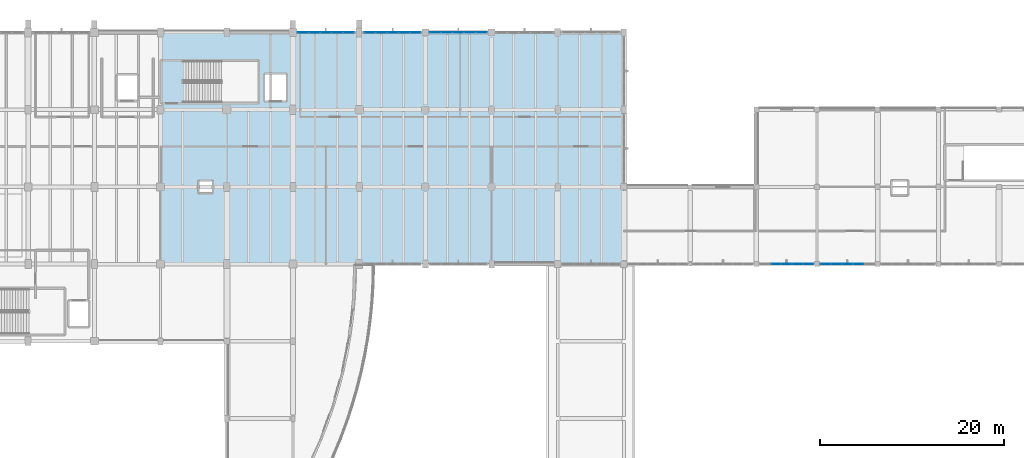
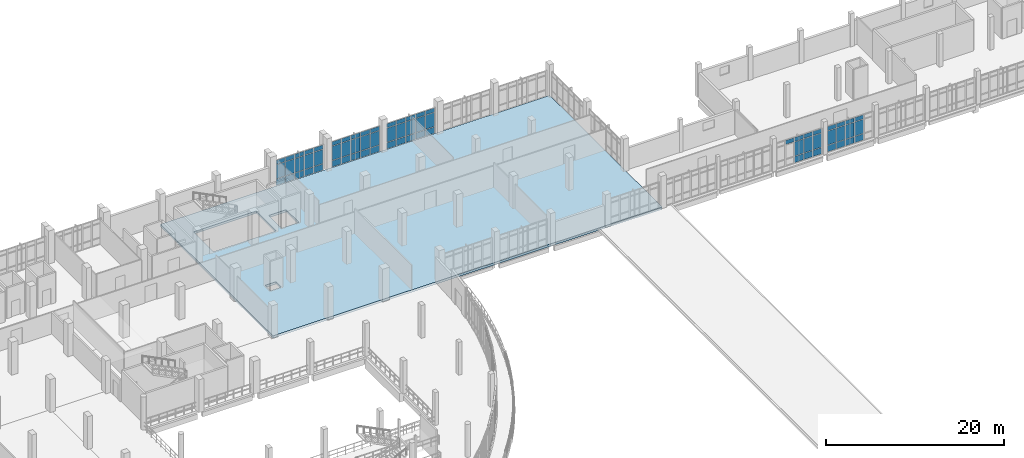
# One storey, part 106 of 134: 67 plates, 1 slab, 5 elements without a shape of their own.
"""IFC4 building model written with IfcOpenShell, lengths in metres."""

from ifc_helpers import new_model, si_unit, direction, frame, origin, origin_2d, place, context, subcontext, project, spatial, polyline, rectangle, outline, extrude, material, layer, layer_set, type_object, element, aggregate, save


model = new_model("IFC4")

# Units and contexts
model_context = context("Model", 3, precision=1e-05, world=origin(), true_north=direction((0.0, 1.0)))
body_context = subcontext(model_context, "Body", "Model", "MODEL_VIEW")
ifc_project = project(units=[si_unit("LENGTHUNIT", "METRE"), si_unit("AREAUNIT", "SQUARE_METRE"), si_unit("VOLUMEUNIT", "CUBIC_METRE"), si_unit("PLANEANGLEUNIT", "RADIAN"), si_unit("MASSUNIT", "GRAM", prefix="KILO")], contexts=[model_context])

# Site, building, storey
site_placement = place(None, origin())
site = spatial("IfcSite", under=ifc_project, at=site_placement, CompositionType="ELEMENT")
building_placement = place(site_placement, origin())
building = spatial("IfcBuilding", under=site, at=building_placement, Name="Kalluvel Institute of Natural Sciences", CompositionType="ELEMENT")
storey_placement = place(building_placement, frame((0.0, 0.0, 5.39990234375)))
storey = spatial("IfcBuildingStorey", under=building, at=storey_placement, Name="L01", CompositionType="ELEMENT", Elevation=5.39990234375)

# Curtain wall, plates
ifc_material_1 = material(Name="Aluminium AW-6063 T6", Category="aluminium")
curtain_wall_type_1 = type_object("IfcCurtainWallType", Name="CW-CLN-45", PredefinedType="USERDEFINED", material=ifc_material_1)
curtain_wall_1_placement = place(storey_placement, origin())
curtain_wall_1 = element("IfcCurtainWall", 1, at=curtain_wall_1_placement, inside=storey, type_object=curtain_wall_type_1, Name="L01 Gothic lancet curtain wall CWA-L01-X1295-Y1028", ObjectType="UNITISED LANCET FACADE", PredefinedType="USERDEFINED")
ifc_material_2 = material(Name="Solar-Control Low-E Laminated Glass", Category="glass")
ifc_layer_1 = layer(ifc_material_2, 0.028076171875)
ifc_layer_set_1 = layer_set([ifc_layer_1], Name="Solar-Control Low-E Laminated Glass")
plate_type_1 = type_object("IfcPlateType", Name="CWP-DGU-28", PredefinedType="CURTAIN_PANEL", material=ifc_layer_set_1)
plate_1_placement = place(storey_placement, frame((131.31005859375, 102.800048828125, 2.96240234375), z_axis=(0.0, 0.0, 1.0), x_axis=(1.0, 0.0, 0.0)))
plate_1 = element("IfcPlate", 2, at=plate_1_placement, type_object=plate_type_1, Name="CW-08 panel 2.3", PredefinedType="CURTAIN_PANEL", context=body_context, shape_type="SweptSolid", body=[
    extrude(rectangle(XDim=1.125, YDim=0.028076171875, at=origin_2d()), origin(), (0.0, 0.0, 1.0), 0.552490234375),
])
plate_2_placement = place(storey_placement, frame((132.5, 102.800048828125, 0.065185546875), z_axis=(0.0, 0.0, 1.0), x_axis=(1.0, 0.0, 0.0)))
plate_2 = element("IfcPlate", 3, at=plate_2_placement, type_object=plate_type_1, Name="CW-08 panel 3.1", PredefinedType="CURTAIN_PANEL", context=body_context, shape_type="SweptSolid", body=[
    extrude(rectangle(XDim=1.125, YDim=0.028076171875, at=origin_2d()), origin(), (0.0, 0.0, 1.0), 0.8525390625),
])
plate_3_placement = place(storey_placement, frame((132.5, 102.800048828125, 0.982666015625), z_axis=(0.0, 0.0, 1.0), x_axis=(1.0, 0.0, 0.0)))
plate_3 = element("IfcPlate", 4, at=plate_3_placement, type_object=plate_type_1, Name="CW-08 panel 3.2", PredefinedType="CURTAIN_PANEL", context=body_context, shape_type="SweptSolid", body=[
    extrude(rectangle(XDim=1.125, YDim=0.028076171875, at=origin_2d()), origin(), (0.0, 0.0, 1.0), 1.9150390625),
])
plate_4_placement = place(storey_placement, frame((132.5, 102.800048828125, 2.96240234375), z_axis=(0.0, 0.0, 1.0), x_axis=(1.0, 0.0, 0.0)))
plate_4 = element("IfcPlate", 5, at=plate_4_placement, type_object=plate_type_1, Name="CW-08 panel 3.3", PredefinedType="CURTAIN_PANEL", context=body_context, shape_type="SweptSolid", body=[
    extrude(rectangle(XDim=1.125, YDim=0.028076171875, at=origin_2d()), origin(), (0.0, 0.0, 1.0), 0.552490234375),
])
plate_5_placement = place(storey_placement, frame((133.68994140625, 102.800048828125, 0.065185546875), z_axis=(0.0, 0.0, 1.0), x_axis=(1.0, 0.0, 0.0)))
plate_5 = element("IfcPlate", 6, at=plate_5_placement, type_object=plate_type_1, Name="CW-08 panel 4.1", PredefinedType="CURTAIN_PANEL", context=body_context, shape_type="SweptSolid", body=[
    extrude(rectangle(XDim=1.125, YDim=0.028076171875, at=origin_2d()), origin(), (0.0, 0.0, 1.0), 0.8525390625),
])
plate_6_placement = place(storey_placement, frame((133.68994140625, 102.800048828125, 0.982666015625), z_axis=(0.0, 0.0, 1.0), x_axis=(1.0, 0.0, 0.0)))
plate_6 = element("IfcPlate", 7, at=plate_6_placement, type_object=plate_type_1, Name="CW-08 panel 4.2", PredefinedType="CURTAIN_PANEL", context=body_context, shape_type="SweptSolid", body=[
    extrude(rectangle(XDim=1.125, YDim=0.028076171875, at=origin_2d()), origin(), (0.0, 0.0, 1.0), 1.9150390625),
])
plate_7_placement = place(storey_placement, frame((133.68994140625, 102.800048828125, 2.96240234375), z_axis=(0.0, 0.0, 1.0), x_axis=(1.0, 0.0, 0.0)))
plate_7 = element("IfcPlate", 8, at=plate_7_placement, type_object=plate_type_1, Name="CW-08 panel 4.3", PredefinedType="CURTAIN_PANEL", context=body_context, shape_type="SweptSolid", body=[
    extrude(rectangle(XDim=1.125, YDim=0.028076171875, at=origin_2d()), origin(), (0.0, 0.0, 1.0), 0.552490234375),
])
plate_8_placement = place(storey_placement, frame((134.86376953125, 102.800048828125, 0.065185546875), z_axis=(0.0, 0.0, 1.0), x_axis=(1.0, 0.0, 0.0)))
plate_8 = element("IfcPlate", 9, at=plate_8_placement, type_object=plate_type_1, Name="CW-08 panel 5.1", PredefinedType="CURTAIN_PANEL", context=body_context, shape_type="SweptSolid", body=[
    extrude(rectangle(XDim=1.092529296875, YDim=0.028076171875, at=origin_2d()), origin(), (0.0, 0.0, 1.0), 0.8525390625),
])
plate_9_placement = place(storey_placement, frame((134.86376953125, 102.800048828125, 0.982666015625), z_axis=(0.0, 0.0, 1.0), x_axis=(1.0, 0.0, 0.0)))
plate_9 = element("IfcPlate", 10, at=plate_9_placement, type_object=plate_type_1, Name="CW-08 panel 5.2", PredefinedType="CURTAIN_PANEL", context=body_context, shape_type="SweptSolid", body=[
    extrude(rectangle(XDim=1.092529296875, YDim=0.028076171875, at=origin_2d()), origin(), (0.0, 0.0, 1.0), 1.9150390625),
])
plate_10_placement = place(storey_placement, frame((134.86376953125, 102.800048828125, 2.96240234375), z_axis=(0.0, 0.0, 1.0), x_axis=(1.0, 0.0, 0.0)))
plate_10 = element("IfcPlate", 11, at=plate_10_placement, type_object=plate_type_1, Name="CW-08 panel 5.3", PredefinedType="CURTAIN_PANEL", context=body_context, shape_type="SweptSolid", body=[
    extrude(rectangle(XDim=1.092529296875, YDim=0.028076171875, at=origin_2d()), origin(), (0.0, 0.0, 1.0), 0.552490234375),
])
aggregate(curtain_wall_1, [plate_1, plate_2, plate_3, plate_4, plate_5, plate_6, plate_7, plate_8, plate_9, plate_10])

curtain_wall_2_placement = place(storey_placement, origin())
curtain_wall_2 = element("IfcCurtainWall", 12, at=curtain_wall_2_placement, inside=storey, type_object=curtain_wall_type_1, Name="L01 Gothic lancet curtain wall CWA-L01-X1361-Y1028", ObjectType="UNITISED LANCET FACADE", PredefinedType="USERDEFINED")
plate_11_placement = place(storey_placement, frame((136.736328125, 102.800048828125, 0.065185546875), z_axis=(0.0, 0.0, 1.0), x_axis=(1.0, 0.0, 0.0)))
plate_11 = element("IfcPlate", 13, at=plate_11_placement, type_object=plate_type_1, Name="CW-08 panel 1.1", PredefinedType="CURTAIN_PANEL", context=body_context, shape_type="SweptSolid", body=[
    extrude(rectangle(XDim=1.092529296875, YDim=0.028076171875, at=origin_2d()), origin(), (0.0, 0.0, 1.0), 0.8525390625),
])
plate_12_placement = place(storey_placement, frame((136.736328125, 102.800048828125, 0.982666015625), z_axis=(0.0, 0.0, 1.0), x_axis=(1.0, 0.0, 0.0)))
plate_12 = element("IfcPlate", 14, at=plate_12_placement, type_object=plate_type_1, Name="CW-08 panel 1.2", PredefinedType="CURTAIN_PANEL", context=body_context, shape_type="SweptSolid", body=[
    extrude(rectangle(XDim=1.092529296875, YDim=0.028076171875, at=origin_2d()), origin(), (0.0, 0.0, 1.0), 1.9150390625),
])
plate_13_placement = place(storey_placement, frame((136.736328125, 102.800048828125, 2.96240234375), z_axis=(0.0, 0.0, 1.0), x_axis=(1.0, 0.0, 0.0)))
plate_13 = element("IfcPlate", 15, at=plate_13_placement, type_object=plate_type_1, Name="CW-08 panel 1.3", PredefinedType="CURTAIN_PANEL", context=body_context, shape_type="SweptSolid", body=[
    extrude(rectangle(XDim=1.092529296875, YDim=0.028076171875, at=origin_2d()), origin(), (0.0, 0.0, 1.0), 0.552490234375),
])
plate_14_placement = place(storey_placement, frame((137.909912109375, 102.800048828125, 0.065185546875), z_axis=(0.0, 0.0, 1.0), x_axis=(1.0, 0.0, 0.0)))
plate_14 = element("IfcPlate", 16, at=plate_14_placement, type_object=plate_type_1, Name="CW-08 panel 2.1", PredefinedType="CURTAIN_PANEL", context=body_context, shape_type="SweptSolid", body=[
    extrude(rectangle(XDim=1.125, YDim=0.028076171875, at=origin_2d()), origin(), (0.0, 0.0, 1.0), 0.8525390625),
])
plate_15_placement = place(storey_placement, frame((137.909912109375, 102.800048828125, 0.982666015625), z_axis=(0.0, 0.0, 1.0), x_axis=(1.0, 0.0, 0.0)))
plate_15 = element("IfcPlate", 17, at=plate_15_placement, type_object=plate_type_1, Name="CW-08 panel 2.2", PredefinedType="CURTAIN_PANEL", context=body_context, shape_type="SweptSolid", body=[
    extrude(rectangle(XDim=1.125, YDim=0.028076171875, at=origin_2d()), origin(), (0.0, 0.0, 1.0), 1.9150390625),
])
plate_16_placement = place(storey_placement, frame((137.909912109375, 102.800048828125, 2.96240234375), z_axis=(0.0, 0.0, 1.0), x_axis=(1.0, 0.0, 0.0)))
plate_16 = element("IfcPlate", 18, at=plate_16_placement, type_object=plate_type_1, Name="CW-08 panel 2.3", PredefinedType="CURTAIN_PANEL", context=body_context, shape_type="SweptSolid", body=[
    extrude(rectangle(XDim=1.125, YDim=0.028076171875, at=origin_2d()), origin(), (0.0, 0.0, 1.0), 0.552490234375),
])
plate_17_placement = place(storey_placement, frame((139.10009765625, 102.800048828125, 0.065185546875), z_axis=(0.0, 0.0, 1.0), x_axis=(1.0, 0.0, 0.0)))
plate_17 = element("IfcPlate", 19, at=plate_17_placement, type_object=plate_type_1, Name="CW-08 panel 3.1", PredefinedType="CURTAIN_PANEL", context=body_context, shape_type="SweptSolid", body=[
    extrude(rectangle(XDim=1.125, YDim=0.028076171875, at=origin_2d()), origin(), (0.0, 0.0, 1.0), 0.8525390625),
])
plate_18_placement = place(storey_placement, frame((139.10009765625, 102.800048828125, 0.982666015625), z_axis=(0.0, 0.0, 1.0), x_axis=(1.0, 0.0, 0.0)))
plate_18 = element("IfcPlate", 20, at=plate_18_placement, type_object=plate_type_1, Name="CW-08 panel 3.2", PredefinedType="CURTAIN_PANEL", context=body_context, shape_type="SweptSolid", body=[
    extrude(rectangle(XDim=1.125, YDim=0.028076171875, at=origin_2d()), origin(), (0.0, 0.0, 1.0), 1.9150390625),
])
plate_19_placement = place(storey_placement, frame((139.10009765625, 102.800048828125, 2.96240234375), z_axis=(0.0, 0.0, 1.0), x_axis=(1.0, 0.0, 0.0)))
plate_19 = element("IfcPlate", 21, at=plate_19_placement, type_object=plate_type_1, Name="CW-08 panel 3.3", PredefinedType="CURTAIN_PANEL", context=body_context, shape_type="SweptSolid", body=[
    extrude(rectangle(XDim=1.125, YDim=0.028076171875, at=origin_2d()), origin(), (0.0, 0.0, 1.0), 0.552490234375),
])
plate_20_placement = place(storey_placement, frame((140.2900390625, 102.800048828125, 0.065185546875), z_axis=(0.0, 0.0, 1.0), x_axis=(1.0, 0.0, 0.0)))
plate_20 = element("IfcPlate", 22, at=plate_20_placement, type_object=plate_type_1, Name="CW-08 panel 4.1", PredefinedType="CURTAIN_PANEL", context=body_context, shape_type="SweptSolid", body=[
    extrude(rectangle(XDim=1.125, YDim=0.028076171875, at=origin_2d()), origin(), (0.0, 0.0, 1.0), 0.8525390625),
])
plate_21_placement = place(storey_placement, frame((140.2900390625, 102.800048828125, 0.982666015625), z_axis=(0.0, 0.0, 1.0), x_axis=(1.0, 0.0, 0.0)))
plate_21 = element("IfcPlate", 23, at=plate_21_placement, type_object=plate_type_1, Name="CW-08 panel 4.2", PredefinedType="CURTAIN_PANEL", context=body_context, shape_type="SweptSolid", body=[
    extrude(rectangle(XDim=1.125, YDim=0.028076171875, at=origin_2d()), origin(), (0.0, 0.0, 1.0), 1.9150390625),
])
plate_22_placement = place(storey_placement, frame((140.2900390625, 102.800048828125, 2.96240234375), z_axis=(0.0, 0.0, 1.0), x_axis=(1.0, 0.0, 0.0)))
plate_22 = element("IfcPlate", 24, at=plate_22_placement, type_object=plate_type_1, Name="CW-08 panel 4.3", PredefinedType="CURTAIN_PANEL", context=body_context, shape_type="SweptSolid", body=[
    extrude(rectangle(XDim=1.125, YDim=0.028076171875, at=origin_2d()), origin(), (0.0, 0.0, 1.0), 0.552490234375),
])
aggregate(curtain_wall_2, [plate_11, plate_12, plate_13, plate_14, plate_15, plate_16, plate_17, plate_18, plate_19, plate_20, plate_21, plate_22])

curtain_wall_type_2 = type_object("IfcCurtainWallType", Name="CW-WET-45", PredefinedType="USERDEFINED", material=ifc_material_1)
curtain_wall_3_placement = place(storey_placement, origin())
curtain_wall_3 = element("IfcCurtainWall", 25, at=curtain_wall_3_placement, inside=storey, type_object=curtain_wall_type_2, Name="L01 Gothic lancet curtain wall CWA-L01-X793-Y1280", ObjectType="UNITISED LANCET FACADE", PredefinedType="USERDEFINED")
ifc_layer_2 = layer(ifc_material_2, 0.031982421875)
ifc_layer_set_2 = layer_set([ifc_layer_2], Name="Solar-Control Low-E Laminated Glass")
plate_type_2 = type_object("IfcPlateType", Name="CWP-DGU-32", PredefinedType="CURTAIN_PANEL", material=ifc_layer_set_2)
plate_23_placement = place(storey_placement, frame((79.9111328125, 128.0, 0.065185546875), z_axis=(0.0, 0.0, 1.0), x_axis=(1.0, 0.0, 0.0)))
plate_23 = element("IfcPlate", 26, at=plate_23_placement, type_object=plate_type_2, Name="CW-01 panel 1.1", PredefinedType="CURTAIN_PANEL", context=body_context, shape_type="SweptSolid", body=[
    extrude(rectangle(XDim=1.142578125, YDim=0.031982421875, at=origin_2d()), origin(), (0.0, 0.0, 1.0), 0.8525390625),
])
plate_24_placement = place(storey_placement, frame((79.9111328125, 128.0, 0.982666015625), z_axis=(0.0, 0.0, 1.0), x_axis=(1.0, 0.0, 0.0)))
plate_24 = element("IfcPlate", 27, at=plate_24_placement, type_object=plate_type_2, Name="CW-01 panel 1.2", PredefinedType="CURTAIN_PANEL", context=body_context, shape_type="SweptSolid", body=[
    extrude(rectangle(XDim=1.142578125, YDim=0.031982421875, at=origin_2d()), origin(), (0.0, 0.0, 1.0), 1.9150390625),
])
plate_25_placement = place(storey_placement, frame((79.9111328125, 128.0, 2.96240234375), z_axis=(0.0, 0.0, 1.0), x_axis=(1.0, 0.0, 0.0)))
plate_25 = element("IfcPlate", 28, at=plate_25_placement, type_object=plate_type_2, Name="CW-01 panel 1.3", PredefinedType="CURTAIN_PANEL", context=body_context, shape_type="SweptSolid", body=[
    extrude(rectangle(XDim=1.142578125, YDim=0.031982421875, at=origin_2d()), origin(), (0.0, 0.0, 1.0), 0.552490234375),
])
plate_26_placement = place(storey_placement, frame((81.135009765625, 128.0, 0.065185546875), z_axis=(0.0, 0.0, 1.0), x_axis=(1.0, 0.0, 0.0)))
plate_26 = element("IfcPlate", 29, at=plate_26_placement, type_object=plate_type_2, Name="CW-01 panel 2.1", PredefinedType="CURTAIN_PANEL", context=body_context, shape_type="SweptSolid", body=[
    extrude(rectangle(XDim=1.175048828125, YDim=0.031982421875, at=origin_2d()), origin(), (0.0, 0.0, 1.0), 0.8525390625),
])
plate_27_placement = place(storey_placement, frame((81.135009765625, 128.0, 0.982666015625), z_axis=(0.0, 0.0, 1.0), x_axis=(1.0, 0.0, 0.0)))
plate_27 = element("IfcPlate", 30, at=plate_27_placement, type_object=plate_type_2, Name="CW-01 panel 2.2", PredefinedType="CURTAIN_PANEL", context=body_context, shape_type="SweptSolid", body=[
    extrude(rectangle(XDim=1.175048828125, YDim=0.031982421875, at=origin_2d()), origin(), (0.0, 0.0, 1.0), 1.9150390625),
])
plate_28_placement = place(storey_placement, frame((81.135009765625, 128.0, 2.96240234375), z_axis=(0.0, 0.0, 1.0), x_axis=(1.0, 0.0, 0.0)))
plate_28 = element("IfcPlate", 31, at=plate_28_placement, type_object=plate_type_2, Name="CW-01 panel 2.3", PredefinedType="CURTAIN_PANEL", context=body_context, shape_type="SweptSolid", body=[
    extrude(rectangle(XDim=1.175048828125, YDim=0.031982421875, at=origin_2d()), origin(), (0.0, 0.0, 1.0), 0.552490234375),
])
plate_29_placement = place(storey_placement, frame((82.375, 128.0, 0.065185546875), z_axis=(0.0, 0.0, 1.0), x_axis=(1.0, 0.0, 0.0)))
plate_29 = element("IfcPlate", 32, at=plate_29_placement, type_object=plate_type_2, Name="CW-01 panel 3.1", PredefinedType="CURTAIN_PANEL", context=body_context, shape_type="SweptSolid", body=[
    extrude(rectangle(XDim=1.175048828125, YDim=0.031982421875, at=origin_2d()), origin(), (0.0, 0.0, 1.0), 0.8525390625),
])
plate_30_placement = place(storey_placement, frame((82.375, 128.0, 0.982666015625), z_axis=(0.0, 0.0, 1.0), x_axis=(1.0, 0.0, 0.0)))
plate_30 = element("IfcPlate", 33, at=plate_30_placement, type_object=plate_type_2, Name="CW-01 panel 3.2", PredefinedType="CURTAIN_PANEL", context=body_context, shape_type="SweptSolid", body=[
    extrude(rectangle(XDim=1.175048828125, YDim=0.031982421875, at=origin_2d()), origin(), (0.0, 0.0, 1.0), 1.9150390625),
])
plate_31_placement = place(storey_placement, frame((82.375, 128.0, 2.96240234375), z_axis=(0.0, 0.0, 1.0), x_axis=(1.0, 0.0, 0.0)))
plate_31 = element("IfcPlate", 34, at=plate_31_placement, type_object=plate_type_2, Name="CW-01 panel 3.3", PredefinedType="CURTAIN_PANEL", context=body_context, shape_type="SweptSolid", body=[
    extrude(rectangle(XDim=1.175048828125, YDim=0.031982421875, at=origin_2d()), origin(), (0.0, 0.0, 1.0), 0.552490234375),
])
plate_32_placement = place(storey_placement, frame((83.614990234375, 128.0, 0.065185546875), z_axis=(0.0, 0.0, 1.0), x_axis=(1.0, 0.0, 0.0)))
plate_32 = element("IfcPlate", 35, at=plate_32_placement, type_object=plate_type_2, Name="CW-01 panel 4.1", PredefinedType="CURTAIN_PANEL", context=body_context, shape_type="SweptSolid", body=[
    extrude(rectangle(XDim=1.175048828125, YDim=0.031982421875, at=origin_2d()), origin(), (0.0, 0.0, 1.0), 0.8525390625),
])
plate_33_placement = place(storey_placement, frame((83.614990234375, 128.0, 0.982666015625), z_axis=(0.0, 0.0, 1.0), x_axis=(1.0, 0.0, 0.0)))
plate_33 = element("IfcPlate", 36, at=plate_33_placement, type_object=plate_type_2, Name="CW-01 panel 4.2", PredefinedType="CURTAIN_PANEL", context=body_context, shape_type="SweptSolid", body=[
    extrude(rectangle(XDim=1.175048828125, YDim=0.031982421875, at=origin_2d()), origin(), (0.0, 0.0, 1.0), 1.9150390625),
])
plate_34_placement = place(storey_placement, frame((83.614990234375, 128.0, 2.96240234375), z_axis=(0.0, 0.0, 1.0), x_axis=(1.0, 0.0, 0.0)))
plate_34 = element("IfcPlate", 37, at=plate_34_placement, type_object=plate_type_2, Name="CW-01 panel 4.3", PredefinedType="CURTAIN_PANEL", context=body_context, shape_type="SweptSolid", body=[
    extrude(rectangle(XDim=1.175048828125, YDim=0.031982421875, at=origin_2d()), origin(), (0.0, 0.0, 1.0), 0.552490234375),
])
plate_35_placement = place(storey_placement, frame((84.8388671875, 128.0, 0.065185546875), z_axis=(0.0, 0.0, 1.0), x_axis=(1.0, 0.0, 0.0)))
plate_35 = element("IfcPlate", 38, at=plate_35_placement, type_object=plate_type_2, Name="CW-01 panel 5.1", PredefinedType="CURTAIN_PANEL", context=body_context, shape_type="SweptSolid", body=[
    extrude(rectangle(XDim=1.142578125, YDim=0.031982421875, at=origin_2d()), origin(), (0.0, 0.0, 1.0), 0.8525390625),
])
plate_36_placement = place(storey_placement, frame((84.8388671875, 128.0, 0.982666015625), z_axis=(0.0, 0.0, 1.0), x_axis=(1.0, 0.0, 0.0)))
plate_36 = element("IfcPlate", 39, at=plate_36_placement, type_object=plate_type_2, Name="CW-01 panel 5.2", PredefinedType="CURTAIN_PANEL", context=body_context, shape_type="SweptSolid", body=[
    extrude(rectangle(XDim=1.142578125, YDim=0.031982421875, at=origin_2d()), origin(), (0.0, 0.0, 1.0), 1.9150390625),
])
plate_37_placement = place(storey_placement, frame((84.8388671875, 128.0, 2.96240234375), z_axis=(0.0, 0.0, 1.0), x_axis=(1.0, 0.0, 0.0)))
plate_37 = element("IfcPlate", 40, at=plate_37_placement, type_object=plate_type_2, Name="CW-01 panel 5.3", PredefinedType="CURTAIN_PANEL", context=body_context, shape_type="SweptSolid", body=[
    extrude(rectangle(XDim=1.142578125, YDim=0.031982421875, at=origin_2d()), origin(), (0.0, 0.0, 1.0), 0.552490234375),
])
aggregate(curtain_wall_3, [plate_23, plate_24, plate_25, plate_26, plate_27, plate_28, plate_29, plate_30, plate_31, plate_32, plate_33, plate_34, plate_35, plate_36, plate_37])

curtain_wall_4_placement = place(storey_placement, origin())
curtain_wall_4 = element("IfcCurtainWall", 41, at=curtain_wall_4_placement, inside=storey, type_object=curtain_wall_type_2, Name="L01 Gothic lancet curtain wall CWA-L01-X865-Y1280", ObjectType="UNITISED LANCET FACADE", PredefinedType="USERDEFINED")
plate_38_placement = place(storey_placement, frame((87.166259765625, 128.0, 0.065185546875), z_axis=(0.0, 0.0, 1.0), x_axis=(1.0, 0.0, 0.0)))
plate_38 = element("IfcPlate", 42, at=plate_38_placement, type_object=plate_type_2, Name="CW-01 panel 1.1", PredefinedType="CURTAIN_PANEL", context=body_context, shape_type="SweptSolid", body=[
    extrude(rectangle(XDim=1.152587890625, YDim=0.031982421875, at=origin_2d()), origin(), (0.0, 0.0, 1.0), 0.8525390625),
])
plate_39_placement = place(storey_placement, frame((87.166259765625, 128.0, 0.982666015625), z_axis=(0.0, 0.0, 1.0), x_axis=(1.0, 0.0, 0.0)))
plate_39 = element("IfcPlate", 43, at=plate_39_placement, type_object=plate_type_2, Name="CW-01 panel 1.2", PredefinedType="CURTAIN_PANEL", context=body_context, shape_type="SweptSolid", body=[
    extrude(rectangle(XDim=1.152587890625, YDim=0.031982421875, at=origin_2d()), origin(), (0.0, 0.0, 1.0), 1.9150390625),
])
plate_40_placement = place(storey_placement, frame((87.166259765625, 128.0, 2.96240234375), z_axis=(0.0, 0.0, 1.0), x_axis=(1.0, 0.0, 0.0)))
plate_40 = element("IfcPlate", 44, at=plate_40_placement, type_object=plate_type_2, Name="CW-01 panel 1.3", PredefinedType="CURTAIN_PANEL", context=body_context, shape_type="SweptSolid", body=[
    extrude(rectangle(XDim=1.152587890625, YDim=0.031982421875, at=origin_2d()), origin(), (0.0, 0.0, 1.0), 0.552490234375),
])
plate_41_placement = place(storey_placement, frame((88.39990234375, 128.0, 0.065185546875), z_axis=(0.0, 0.0, 1.0), x_axis=(1.0, 0.0, 0.0)))
plate_41 = element("IfcPlate", 45, at=plate_41_placement, type_object=plate_type_2, Name="CW-01 panel 2.1", PredefinedType="CURTAIN_PANEL", context=body_context, shape_type="SweptSolid", body=[
    extrude(rectangle(XDim=1.18505859375, YDim=0.031982421875, at=origin_2d()), origin(), (0.0, 0.0, 1.0), 0.8525390625),
])
plate_42_placement = place(storey_placement, frame((88.39990234375, 128.0, 0.982666015625), z_axis=(0.0, 0.0, 1.0), x_axis=(1.0, 0.0, 0.0)))
plate_42 = element("IfcPlate", 46, at=plate_42_placement, type_object=plate_type_2, Name="CW-01 panel 2.2", PredefinedType="CURTAIN_PANEL", context=body_context, shape_type="SweptSolid", body=[
    extrude(rectangle(XDim=1.18505859375, YDim=0.031982421875, at=origin_2d()), origin(), (0.0, 0.0, 1.0), 1.9150390625),
])
plate_43_placement = place(storey_placement, frame((88.39990234375, 128.0, 2.96240234375), z_axis=(0.0, 0.0, 1.0), x_axis=(1.0, 0.0, 0.0)))
plate_43 = element("IfcPlate", 47, at=plate_43_placement, type_object=plate_type_2, Name="CW-01 panel 2.3", PredefinedType="CURTAIN_PANEL", context=body_context, shape_type="SweptSolid", body=[
    extrude(rectangle(XDim=1.18505859375, YDim=0.031982421875, at=origin_2d()), origin(), (0.0, 0.0, 1.0), 0.552490234375),
])
plate_44_placement = place(storey_placement, frame((89.64990234375, 128.0, 0.065185546875), z_axis=(0.0, 0.0, 1.0), x_axis=(1.0, 0.0, 0.0)))
plate_44 = element("IfcPlate", 48, at=plate_44_placement, type_object=plate_type_2, Name="CW-01 panel 3.1", PredefinedType="CURTAIN_PANEL", context=body_context, shape_type="SweptSolid", body=[
    extrude(rectangle(XDim=1.18505859375, YDim=0.031982421875, at=origin_2d()), origin(), (0.0, 0.0, 1.0), 0.8525390625),
])
plate_45_placement = place(storey_placement, frame((89.64990234375, 128.0, 0.982666015625), z_axis=(0.0, 0.0, 1.0), x_axis=(1.0, 0.0, 0.0)))
plate_45 = element("IfcPlate", 49, at=plate_45_placement, type_object=plate_type_2, Name="CW-01 panel 3.2", PredefinedType="CURTAIN_PANEL", context=body_context, shape_type="SweptSolid", body=[
    extrude(rectangle(XDim=1.18505859375, YDim=0.031982421875, at=origin_2d()), origin(), (0.0, 0.0, 1.0), 1.9150390625),
])
plate_46_placement = place(storey_placement, frame((89.64990234375, 128.0, 2.96240234375), z_axis=(0.0, 0.0, 1.0), x_axis=(1.0, 0.0, 0.0)))
plate_46 = element("IfcPlate", 50, at=plate_46_placement, type_object=plate_type_2, Name="CW-01 panel 3.3", PredefinedType="CURTAIN_PANEL", context=body_context, shape_type="SweptSolid", body=[
    extrude(rectangle(XDim=1.18505859375, YDim=0.031982421875, at=origin_2d()), origin(), (0.0, 0.0, 1.0), 0.552490234375),
])
plate_47_placement = place(storey_placement, frame((90.89990234375, 128.0, 0.065185546875), z_axis=(0.0, 0.0, 1.0), x_axis=(1.0, 0.0, 0.0)))
plate_47 = element("IfcPlate", 51, at=plate_47_placement, type_object=plate_type_2, Name="CW-01 panel 4.1", PredefinedType="CURTAIN_PANEL", context=body_context, shape_type="SweptSolid", body=[
    extrude(rectangle(XDim=1.18505859375, YDim=0.031982421875, at=origin_2d()), origin(), (0.0, 0.0, 1.0), 0.8525390625),
])
plate_48_placement = place(storey_placement, frame((90.89990234375, 128.0, 0.982666015625), z_axis=(0.0, 0.0, 1.0), x_axis=(1.0, 0.0, 0.0)))
plate_48 = element("IfcPlate", 52, at=plate_48_placement, type_object=plate_type_2, Name="CW-01 panel 4.2", PredefinedType="CURTAIN_PANEL", context=body_context, shape_type="SweptSolid", body=[
    extrude(rectangle(XDim=1.18505859375, YDim=0.031982421875, at=origin_2d()), origin(), (0.0, 0.0, 1.0), 1.9150390625),
])
plate_49_placement = place(storey_placement, frame((90.89990234375, 128.0, 2.96240234375), z_axis=(0.0, 0.0, 1.0), x_axis=(1.0, 0.0, 0.0)))
plate_49 = element("IfcPlate", 53, at=plate_49_placement, type_object=plate_type_2, Name="CW-01 panel 4.3", PredefinedType="CURTAIN_PANEL", context=body_context, shape_type="SweptSolid", body=[
    extrude(rectangle(XDim=1.18505859375, YDim=0.031982421875, at=origin_2d()), origin(), (0.0, 0.0, 1.0), 0.552490234375),
])
plate_50_placement = place(storey_placement, frame((92.1337890625, 128.0, 0.065185546875), z_axis=(0.0, 0.0, 1.0), x_axis=(1.0, 0.0, 0.0)))
plate_50 = element("IfcPlate", 54, at=plate_50_placement, type_object=plate_type_2, Name="CW-01 panel 5.1", PredefinedType="CURTAIN_PANEL", context=body_context, shape_type="SweptSolid", body=[
    extrude(rectangle(XDim=1.152587890625, YDim=0.031982421875, at=origin_2d()), origin(), (0.0, 0.0, 1.0), 0.8525390625),
])
plate_51_placement = place(storey_placement, frame((92.1337890625, 128.0, 0.982666015625), z_axis=(0.0, 0.0, 1.0), x_axis=(1.0, 0.0, 0.0)))
plate_51 = element("IfcPlate", 55, at=plate_51_placement, type_object=plate_type_2, Name="CW-01 panel 5.2", PredefinedType="CURTAIN_PANEL", context=body_context, shape_type="SweptSolid", body=[
    extrude(rectangle(XDim=1.152587890625, YDim=0.031982421875, at=origin_2d()), origin(), (0.0, 0.0, 1.0), 1.9150390625),
])
plate_52_placement = place(storey_placement, frame((92.1337890625, 128.0, 2.96240234375), z_axis=(0.0, 0.0, 1.0), x_axis=(1.0, 0.0, 0.0)))
plate_52 = element("IfcPlate", 56, at=plate_52_placement, type_object=plate_type_2, Name="CW-01 panel 5.3", PredefinedType="CURTAIN_PANEL", context=body_context, shape_type="SweptSolid", body=[
    extrude(rectangle(XDim=1.152587890625, YDim=0.031982421875, at=origin_2d()), origin(), (0.0, 0.0, 1.0), 0.552490234375),
])
aggregate(curtain_wall_4, [plate_38, plate_39, plate_40, plate_41, plate_42, plate_43, plate_44, plate_45, plate_46, plate_47, plate_48, plate_49, plate_50, plate_51, plate_52])

curtain_wall_5_placement = place(storey_placement, origin())
curtain_wall_5 = element("IfcCurtainWall", 57, at=curtain_wall_5_placement, inside=storey, type_object=curtain_wall_type_2, Name="L01 Gothic lancet curtain wall CWA-L01-X936-Y1280", ObjectType="UNITISED LANCET FACADE", PredefinedType="USERDEFINED")
plate_53_placement = place(storey_placement, frame((94.273681640625, 128.0, 0.065185546875), z_axis=(0.0, 0.0, 1.0), x_axis=(1.0, 0.0, 0.0)))
plate_53 = element("IfcPlate", 58, at=plate_53_placement, type_object=plate_type_2, Name="CW-01 panel 1.1", PredefinedType="CURTAIN_PANEL", context=body_context, shape_type="SweptSolid", body=[
    extrude(rectangle(XDim=1.16748046875, YDim=0.031982421875, at=origin_2d()), origin(), (0.0, 0.0, 1.0), 0.8525390625),
])
plate_54_placement = place(storey_placement, frame((94.273681640625, 128.0, 0.982666015625), z_axis=(0.0, 0.0, 1.0), x_axis=(1.0, 0.0, 0.0)))
plate_54 = element("IfcPlate", 59, at=plate_54_placement, type_object=plate_type_2, Name="CW-01 panel 1.2", PredefinedType="CURTAIN_PANEL", context=body_context, shape_type="SweptSolid", body=[
    extrude(rectangle(XDim=1.16748046875, YDim=0.031982421875, at=origin_2d()), origin(), (0.0, 0.0, 1.0), 1.9150390625),
])
plate_55_placement = place(storey_placement, frame((94.273681640625, 128.0, 2.96240234375), z_axis=(0.0, 0.0, 1.0), x_axis=(1.0, 0.0, 0.0)))
plate_55 = element("IfcPlate", 60, at=plate_55_placement, type_object=plate_type_2, Name="CW-01 panel 1.3", PredefinedType="CURTAIN_PANEL", context=body_context, shape_type="SweptSolid", body=[
    extrude(rectangle(XDim=1.16748046875, YDim=0.031982421875, at=origin_2d()), origin(), (0.0, 0.0, 1.0), 0.552490234375),
])
plate_56_placement = place(storey_placement, frame((95.5224609375, 128.0, 0.065185546875), z_axis=(0.0, 0.0, 1.0), x_axis=(1.0, 0.0, 0.0)))
plate_56 = element("IfcPlate", 61, at=plate_56_placement, type_object=plate_type_2, Name="CW-01 panel 2.1", PredefinedType="CURTAIN_PANEL", context=body_context, shape_type="SweptSolid", body=[
    extrude(rectangle(XDim=1.199951171875, YDim=0.031982421875, at=origin_2d()), origin(), (0.0, 0.0, 1.0), 0.8525390625),
])
plate_57_placement = place(storey_placement, frame((95.5224609375, 128.0, 0.982666015625), z_axis=(0.0, 0.0, 1.0), x_axis=(1.0, 0.0, 0.0)))
plate_57 = element("IfcPlate", 62, at=plate_57_placement, type_object=plate_type_2, Name="CW-01 panel 2.2", PredefinedType="CURTAIN_PANEL", context=body_context, shape_type="SweptSolid", body=[
    extrude(rectangle(XDim=1.199951171875, YDim=0.031982421875, at=origin_2d()), origin(), (0.0, 0.0, 1.0), 1.9150390625),
])
plate_58_placement = place(storey_placement, frame((95.5224609375, 128.0, 2.96240234375), z_axis=(0.0, 0.0, 1.0), x_axis=(1.0, 0.0, 0.0)))
plate_58 = element("IfcPlate", 63, at=plate_58_placement, type_object=plate_type_2, Name="CW-01 panel 2.3", PredefinedType="CURTAIN_PANEL", context=body_context, shape_type="SweptSolid", body=[
    extrude(rectangle(XDim=1.199951171875, YDim=0.031982421875, at=origin_2d()), origin(), (0.0, 0.0, 1.0), 0.552490234375),
])
plate_59_placement = place(storey_placement, frame((96.78759765625, 128.0, 0.065185546875), z_axis=(0.0, 0.0, 1.0), x_axis=(1.0, 0.0, 0.0)))
plate_59 = element("IfcPlate", 64, at=plate_59_placement, type_object=plate_type_2, Name="CW-01 panel 3.1", PredefinedType="CURTAIN_PANEL", context=body_context, shape_type="SweptSolid", body=[
    extrude(rectangle(XDim=1.199951171875, YDim=0.031982421875, at=origin_2d()), origin(), (0.0, 0.0, 1.0), 0.8525390625),
])
plate_60_placement = place(storey_placement, frame((96.78759765625, 128.0, 0.982666015625), z_axis=(0.0, 0.0, 1.0), x_axis=(1.0, 0.0, 0.0)))
plate_60 = element("IfcPlate", 65, at=plate_60_placement, type_object=plate_type_2, Name="CW-01 panel 3.2", PredefinedType="CURTAIN_PANEL", context=body_context, shape_type="SweptSolid", body=[
    extrude(rectangle(XDim=1.199951171875, YDim=0.031982421875, at=origin_2d()), origin(), (0.0, 0.0, 1.0), 1.9150390625),
])
plate_61_placement = place(storey_placement, frame((96.78759765625, 128.0, 2.96240234375), z_axis=(0.0, 0.0, 1.0), x_axis=(1.0, 0.0, 0.0)))
plate_61 = element("IfcPlate", 66, at=plate_61_placement, type_object=plate_type_2, Name="CW-01 panel 3.3", PredefinedType="CURTAIN_PANEL", context=body_context, shape_type="SweptSolid", body=[
    extrude(rectangle(XDim=1.199951171875, YDim=0.031982421875, at=origin_2d()), origin(), (0.0, 0.0, 1.0), 0.552490234375),
])
plate_62_placement = place(storey_placement, frame((98.052490234375, 128.0, 0.065185546875), z_axis=(0.0, 0.0, 1.0), x_axis=(1.0, 0.0, 0.0)))
plate_62 = element("IfcPlate", 67, at=plate_62_placement, type_object=plate_type_2, Name="CW-01 panel 4.1", PredefinedType="CURTAIN_PANEL", context=body_context, shape_type="SweptSolid", body=[
    extrude(rectangle(XDim=1.199951171875, YDim=0.031982421875, at=origin_2d()), origin(), (0.0, 0.0, 1.0), 0.8525390625),
])
plate_63_placement = place(storey_placement, frame((98.052490234375, 128.0, 0.982666015625), z_axis=(0.0, 0.0, 1.0), x_axis=(1.0, 0.0, 0.0)))
plate_63 = element("IfcPlate", 68, at=plate_63_placement, type_object=plate_type_2, Name="CW-01 panel 4.2", PredefinedType="CURTAIN_PANEL", context=body_context, shape_type="SweptSolid", body=[
    extrude(rectangle(XDim=1.199951171875, YDim=0.031982421875, at=origin_2d()), origin(), (0.0, 0.0, 1.0), 1.9150390625),
])
plate_64_placement = place(storey_placement, frame((98.052490234375, 128.0, 2.96240234375), z_axis=(0.0, 0.0, 1.0), x_axis=(1.0, 0.0, 0.0)))
plate_64 = element("IfcPlate", 69, at=plate_64_placement, type_object=plate_type_2, Name="CW-01 panel 4.3", PredefinedType="CURTAIN_PANEL", context=body_context, shape_type="SweptSolid", body=[
    extrude(rectangle(XDim=1.199951171875, YDim=0.031982421875, at=origin_2d()), origin(), (0.0, 0.0, 1.0), 0.552490234375),
])
plate_65_placement = place(storey_placement, frame((99.30126953125, 128.0, 0.065185546875), z_axis=(0.0, 0.0, 1.0), x_axis=(1.0, 0.0, 0.0)))
plate_65 = element("IfcPlate", 70, at=plate_65_placement, type_object=plate_type_2, Name="CW-01 panel 5.1", PredefinedType="CURTAIN_PANEL", context=body_context, shape_type="SweptSolid", body=[
    extrude(rectangle(XDim=1.16748046875, YDim=0.031982421875, at=origin_2d()), origin(), (0.0, 0.0, 1.0), 0.8525390625),
])
plate_66_placement = place(storey_placement, frame((99.30126953125, 128.0, 0.982666015625), z_axis=(0.0, 0.0, 1.0), x_axis=(1.0, 0.0, 0.0)))
plate_66 = element("IfcPlate", 71, at=plate_66_placement, type_object=plate_type_2, Name="CW-01 panel 5.2", PredefinedType="CURTAIN_PANEL", context=body_context, shape_type="SweptSolid", body=[
    extrude(rectangle(XDim=1.16748046875, YDim=0.031982421875, at=origin_2d()), origin(), (0.0, 0.0, 1.0), 1.9150390625),
])
plate_67_placement = place(storey_placement, frame((99.30126953125, 128.0, 2.96240234375), z_axis=(0.0, 0.0, 1.0), x_axis=(1.0, 0.0, 0.0)))
plate_67 = element("IfcPlate", 72, at=plate_67_placement, type_object=plate_type_2, Name="CW-01 panel 5.3", PredefinedType="CURTAIN_PANEL", context=body_context, shape_type="SweptSolid", body=[
    extrude(rectangle(XDim=1.16748046875, YDim=0.031982421875, at=origin_2d()), origin(), (0.0, 0.0, 1.0), 0.552490234375),
])
aggregate(curtain_wall_5, [plate_53, plate_54, plate_55, plate_56, plate_57, plate_58, plate_59, plate_60, plate_61, plate_62, plate_63, plate_64, plate_65, plate_66, plate_67])

# Slab
ifc_material_3 = material(Name="Concrete M40", Category="concrete")
ifc_layer_3 = layer(ifc_material_3, 0.320068359375)
ifc_layer_set_3 = layer_set([ifc_layer_3], Name="Concrete M40")
slab_type = type_object("IfcSlabType", Name="SLB-WET-320", PredefinedType="FLOOR", material=ifc_layer_set_3)
slab_placement = place(storey_placement, frame((0.0, 0.0, -0.31982421875)))
element("IfcSlab", 73, at=slab_placement, inside=storey, type_object=slab_type, Name="L01 Wet Laboratory Waffle Floor Slab E", PredefinedType="FLOOR", context=body_context, shape_type="SweptSolid", body=[
    extrude(outline(polyline([(64.39990234375, 102.800048828125), (114.800048828125, 102.800048828125), (114.800048828125, 128.0), (64.39990234375, 128.0), (64.39990234375, 102.800048828125)]), holes=[polyline([(78.02001953125, 123.419921875), (78.02001953125, 120.580078125), (75.780029296875, 120.580078125), (75.780029296875, 123.419921875), (78.02001953125, 123.419921875)]), polyline([(75.0, 124.8701171875), (75.0, 120.39990234375), (66.867919921875, 120.39990234375), (66.867919921875, 124.8701171875), (75.0, 124.8701171875)]), polyline([(68.60009765625, 111.800048828125), (70.0, 111.800048828125), (70.0, 110.60009765625), (68.60009765625, 110.60009765625), (68.60009765625, 111.800048828125)])]), origin(), (0.0, 0.0, 1.0), 0.31982421875),
])

save(model, "model.ifc")
